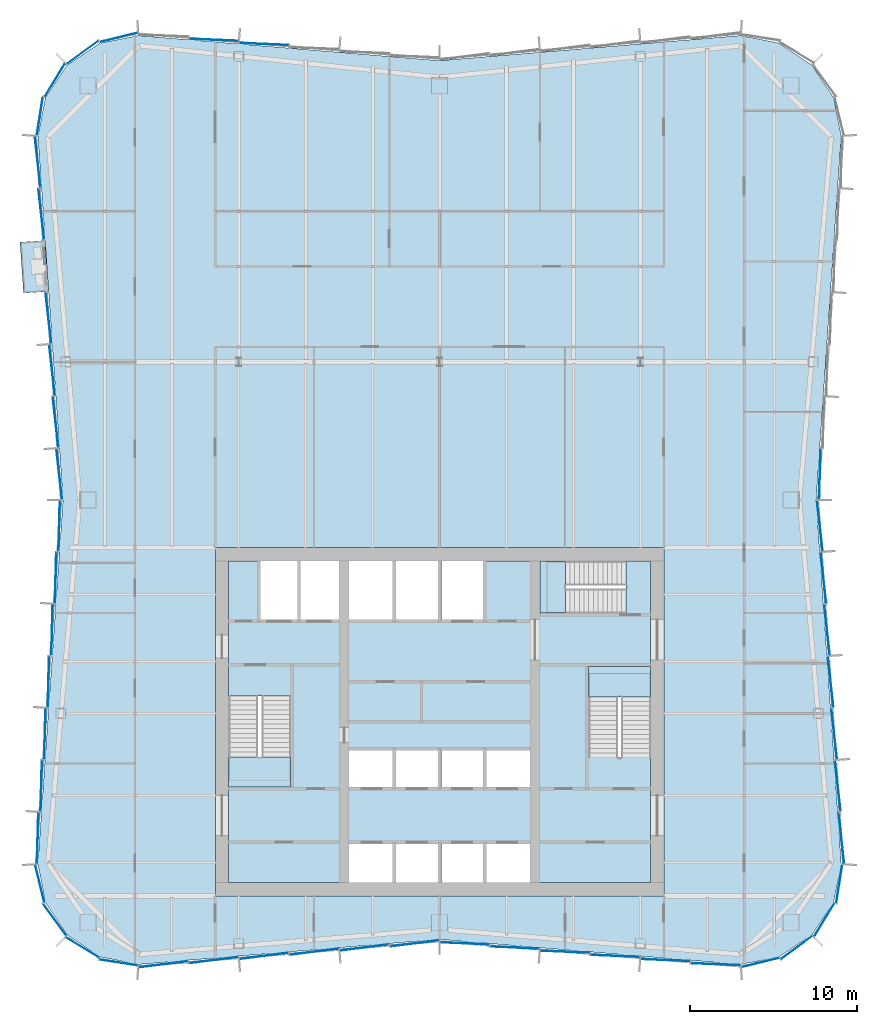
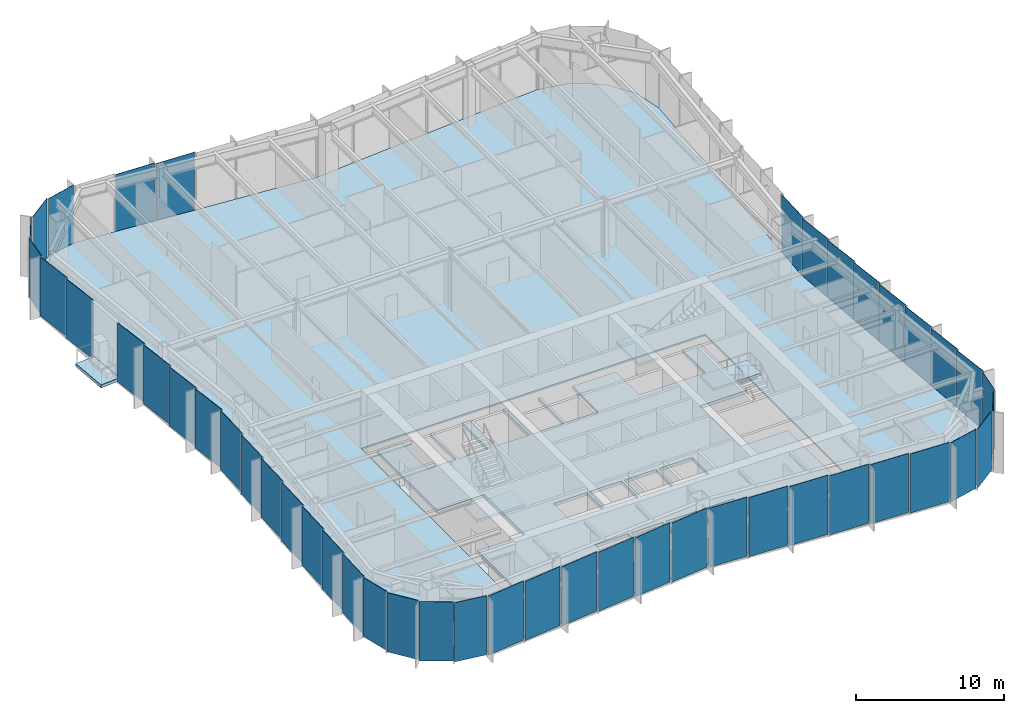
# One storey, part 9 of 15: 47 plates, 6 slabs, 10 elements without a shape of their own.
"""IFC4 building model written with IfcOpenShell, lengths in metres."""

from ifc_helpers import new_model, si_unit, direction, frame, origin, origin_2d, place, context, subcontext, project, spatial, polyline, rectangle, outline, extrude, material, layer, layer_set, type_object, element, aggregate, save


model = new_model("IFC4")

# Units and contexts
model_context = context("Model", 3, precision=1e-05, world=origin(), true_north=direction((0.0, 1.0)))
body_context = subcontext(model_context, "Body", "Model", "MODEL_VIEW")
ifc_project = project(units=[si_unit("LENGTHUNIT", "METRE"), si_unit("AREAUNIT", "SQUARE_METRE"), si_unit("VOLUMEUNIT", "CUBIC_METRE"), si_unit("PLANEANGLEUNIT", "RADIAN"), si_unit("MASSUNIT", "GRAM", prefix="KILO")], contexts=[model_context])

# Site, building, storey
site_placement = place(None, origin())
site = spatial("IfcSite", under=ifc_project, at=site_placement, CompositionType="ELEMENT")
building_placement = place(site_placement, origin())
building = spatial("IfcBuilding", under=site, at=building_placement, Name="Verdant Reach Tower", CompositionType="ELEMENT")
storey_placement = place(building_placement, frame((0.0, 0.0, 233.0)))
storey = spatial("IfcBuildingStorey", under=building, at=storey_placement, Name="L53", CompositionType="ELEMENT", Elevation=233.0)

# Stair, slab
ifc_material_1 = material(Name="Concrete C40/50", Category="concrete")
stair_type = type_object("IfcStairType", Name="CO-STAIR", PredefinedType="HALF_TURN_STAIR", material=ifc_material_1)
stair_1_placement = place(storey_placement, origin())
stair_1 = element("IfcStair", 1, at=stair_1_placement, inside=storey, type_object=stair_type, Name="L53 Exit stair 1", PredefinedType="HALF_TURN_STAIR")
ifc_layer_1 = layer(ifc_material_1, 0.199951171875)
ifc_layer_set_1 = layer_set([ifc_layer_1], Name="CO-STAIR-LANDING")
slab_type_1 = type_object("IfcSlabType", Name="CO-STAIR-LANDING", PredefinedType="LANDING", material=ifc_layer_set_1)
slab_1_placement = place(storey_placement, frame((0.0, 0.0, 2.300048828125)))
slab_1 = element("IfcSlab", 2, at=slab_1_placement, type_object=slab_type_1, Name="ST-1 landing 1", PredefinedType="LANDING", context=body_context, shape_type="SweptSolid", body=[
    extrude(outline(polyline([(-12.60009765625, 25.909912109375), (-12.60009765625, 24.10009765625), (-8.89990234375, 24.10009765625), (-8.89990234375, 25.909912109375), (-12.60009765625, 25.909912109375)])), origin(), (0.0, 0.0, 1.0), 0.199951171875),
])
aggregate(stair_1, [slab_1])

stair_2_placement = place(storey_placement, origin())
stair_2 = element("IfcStair", 3, at=stair_2_placement, inside=storey, type_object=stair_type, Name="L53 Exit stair 2", PredefinedType="HALF_TURN_STAIR")
slab_2_placement = place(storey_placement, frame((0.0, 0.0, 2.300048828125)))
slab_2 = element("IfcSlab", 4, at=slab_2_placement, type_object=slab_type_1, Name="ST-2 landing 1", PredefinedType="LANDING", context=body_context, shape_type="SweptSolid", body=[
    extrude(outline(polyline([(12.60009765625, 29.489990234375), (12.60009765625, 31.300048828125), (8.89990234375, 31.300048828125), (8.89990234375, 29.489990234375), (12.60009765625, 29.489990234375)])), origin(), (0.0, 0.0, 1.0), 0.199951171875),
])
aggregate(stair_2, [slab_2])

stair_3_placement = place(storey_placement, origin())
stair_3 = element("IfcStair", 5, at=stair_3_placement, inside=storey, type_object=stair_type, Name="L53 Exit stair 3", PredefinedType="HALF_TURN_STAIR")
slab_3_placement = place(storey_placement, frame((0.0, 0.0, 2.300048828125)))
slab_3 = element("IfcSlab", 6, at=slab_3_placement, type_object=slab_type_1, Name="ST-3 landing 1", PredefinedType="LANDING", context=body_context, shape_type="SweptSolid", body=[
    extrude(outline(polyline([(7.510009765625, 37.60009765625), (6.0, 37.60009765625), (6.0, 34.5), (7.510009765625, 34.5), (7.510009765625, 37.60009765625)])), origin(), (0.0, 0.0, 1.0), 0.199951171875),
])
aggregate(stair_3, [slab_3])

# Slab
ifc_material_2 = material(Name="Concrete C35/45", Category="concrete")
ifc_layer_2 = layer(ifc_material_2, 0.25)
ifc_layer_set_2 = layer_set([ifc_layer_2], Name="EN-BALCONY SLAB")
slab_type_2 = type_object("IfcSlabType", Name="EN-BALCONY SLAB", PredefinedType="FLOOR", material=ifc_layer_set_2)
slab_4_placement = place(storey_placement, frame((0.0, 0.0, -0.25)))
element("IfcSlab", 7, at=slab_4_placement, inside=storey, type_object=slab_type_2, Name="Balcony slab 1, L53", PredefinedType="FLOOR", context=body_context, shape_type="SweptSolid", body=[
    extrude(outline(polyline([(-23.569091796875, 56.751708984375), (-23.359375, 53.71240234375), (-24.85595703125, 53.609375), (-25.0654296875, 56.648681640625), (-23.569091796875, 56.751708984375)])), origin(), (0.0, 0.0, 1.0), 0.25),
])

# Curtain wall, plates
ifc_material_3 = material(Name="Anodised aluminium", Category="aluminium")
curtain_wall_type = type_object("IfcCurtainWallType", Name="EN-CW SYSTEM Z4", PredefinedType="NOTDEFINED", material=ifc_material_3)
curtain_wall_1_placement = place(storey_placement, origin())
curtain_wall_1 = element("IfcCurtainWall", 8, at=curtain_wall_1_placement, inside=storey, type_object=curtain_wall_type, Name="Curtain wall east, L53", PredefinedType="NOTDEFINED")
ifc_material_4 = material(Name="Tinted glass with champagne spandrel", Category="glass")
ifc_layer_3 = layer(ifc_material_4, 0.031982421875)
ifc_layer_set_3 = layer_set([ifc_layer_3], Name="EN-PANEL CHAMPAGNE")
plate_type_1 = type_object("IfcPlateType", Name="EN-PANEL CHAMPAGNE", PredefinedType="CURTAIN_PANEL", material=ifc_layer_set_3)
plate_1_placement = place(storey_placement, frame((23.36181640625, 30.3828125, -0.221923828125), z_axis=(0.0, 0.0, 1.0), x_axis=(-0.110518162674, 0.993874104562, 0.0)))
plate_1 = element("IfcPlate", 9, at=plate_1_placement, type_object=plate_type_1, Name="Glass panel east face part 1 4.1, L53", PredefinedType="CURTAIN_PANEL", context=body_context, shape_type="SweptSolid", body=[
    extrude(rectangle(XDim=3.050537109375, YDim=0.031982421875, at=origin_2d()), origin(), (0.0, 0.0, 1.0), 4.8720703125),
])
plate_2_placement = place(storey_placement, frame((23.1474609375, 33.48974609375, -0.221923828125), z_axis=(0.0, 0.0, 1.0), x_axis=(-0.110518162674, 0.993874104562, 0.0)))
plate_2 = element("IfcPlate", 10, at=plate_2_placement, type_object=plate_type_1, Name="Glass panel east face part 1 5.1, L53", PredefinedType="CURTAIN_PANEL", context=body_context, shape_type="SweptSolid", body=[
    extrude(rectangle(XDim=3.050537109375, YDim=0.031982421875, at=origin_2d()), origin(), (0.0, 0.0, 1.0), 4.8720703125),
])

curtain_wall_2_placement = place(storey_placement, origin())
curtain_wall_2 = element("IfcCurtainWall", 11, at=curtain_wall_2_placement, inside=storey, type_object=curtain_wall_type, Name="Curtain wall north, L53", PredefinedType="NOTDEFINED")
plate_3_placement = place(storey_placement, frame((-10.49072265625, 68.486572265625, -0.221923828125), z_axis=(0.0, 0.0, 1.0), x_axis=(-0.999149202059, 0.041241629766, 0.0)))
plate_3 = element("IfcPlate", 12, at=plate_3_placement, type_object=plate_type_1, Name="Glass panel north face part 2 4.1, L53", PredefinedType="CURTAIN_PANEL", context=body_context, shape_type="SweptSolid", body=[
    extrude(rectangle(XDim=2.9462890625, YDim=0.031982421875, at=origin_2d()), origin(), (0.0, 0.0, 1.0), 4.8720703125),
])
plate_4_placement = place(storey_placement, frame((-13.49072265625, 68.736572265625, -0.221923828125), z_axis=(0.0, 0.0, 1.0), x_axis=(-0.999149202059, 0.041241629766, 0.0)))
plate_4 = element("IfcPlate", 13, at=plate_4_placement, type_object=plate_type_1, Name="Glass panel north face part 2 5.1, L53", PredefinedType="CURTAIN_PANEL", context=body_context, shape_type="SweptSolid", body=[
    extrude(rectangle(XDim=2.9462890625, YDim=0.031982421875, at=origin_2d()), origin(), (0.0, 0.0, 1.0), 4.8720703125),
])
aggregate(curtain_wall_2, [plate_3, plate_4])

curtain_wall_3_placement = place(storey_placement, origin())
curtain_wall_3 = element("IfcCurtainWall", 14, at=curtain_wall_3_placement, inside=storey, type_object=curtain_wall_type, Name="Curtain wall north-west corner, L53", PredefinedType="NOTDEFINED")
plate_5_placement = place(storey_placement, frame((-21.330322265625, 67.984375, -0.221923828125), z_axis=(0.0, 0.0, 1.0), x_axis=(-0.80745677573, -0.589926737254, 0.0)))
plate_5 = element("IfcPlate", 15, at=plate_5_placement, type_object=plate_type_1, Name="Glass panel north-west corner 2.1, L53", PredefinedType="CURTAIN_PANEL", context=body_context, shape_type="SweptSolid", body=[
    extrude(rectangle(XDim=2.32080078125, YDim=0.031982421875, at=origin_2d()), origin(), (0.0, 0.0, 1.0), 4.8720703125),
])
plate_6_placement = place(storey_placement, frame((-22.984375, 66.330322265625, -0.221923828125), z_axis=(0.0, 0.0, 1.0), x_axis=(-0.520291539577, -0.853988708265, 0.0)))
plate_6 = element("IfcPlate", 16, at=plate_6_placement, type_object=plate_type_1, Name="Glass panel north-west corner 3.1, L53", PredefinedType="CURTAIN_PANEL", context=body_context, shape_type="SweptSolid", body=[
    extrude(rectangle(XDim=2.32080078125, YDim=0.031982421875, at=origin_2d()), origin(), (0.0, 0.0, 1.0), 4.8720703125),
])
plate_7_placement = place(storey_placement, frame((-23.87939453125, 64.173095703125, -0.221923828125), z_axis=(0.0, 0.0, 1.0), x_axis=(-0.154324690427, -0.988020187003, 0.0)))
plate_7 = element("IfcPlate", 17, at=plate_7_placement, type_object=plate_type_1, Name="Glass panel north-west corner 4.1, L53", PredefinedType="CURTAIN_PANEL", context=body_context, shape_type="SweptSolid", body=[
    extrude(rectangle(XDim=2.313720703125, YDim=0.031982421875, at=origin_2d()), origin(), (0.0, 0.0, 1.0), 4.8720703125),
])

curtain_wall_4_placement = place(storey_placement, origin())
curtain_wall_4 = element("IfcCurtainWall", 18, at=curtain_wall_4_placement, inside=storey, type_object=curtain_wall_type, Name="Curtain wall west, L53", PredefinedType="NOTDEFINED")
plate_8_placement = place(storey_placement, frame((-24.004638671875, 61.446044921875, -0.221923828125), z_axis=(0.0, 0.0, 1.0), x_axis=(0.110205903836, -0.993908777886, 0.0)))
plate_8 = element("IfcPlate", 19, at=plate_8_placement, type_object=plate_type_1, Name="Glass panel west face part 1 1.1, L53", PredefinedType="CURTAIN_PANEL", context=body_context, shape_type="SweptSolid", body=[
    extrude(rectangle(XDim=3.0654296875, YDim=0.031982421875, at=origin_2d()), origin(), (0.0, 0.0, 1.0), 4.8720703125),
])
plate_9_placement = place(storey_placement, frame((-23.790283203125, 58.33154296875, -0.221923828125), z_axis=(0.0, 0.0, 1.0), x_axis=(0.110518162674, -0.993874104562, 0.0)))
plate_9 = element("IfcPlate", 20, at=plate_9_placement, type_object=plate_type_1, Name="Glass panel west face part 1 2.1, L53", PredefinedType="CURTAIN_PANEL", context=body_context, shape_type="SweptSolid", body=[
    extrude(rectangle(XDim=3.050537109375, YDim=0.031982421875, at=origin_2d()), origin(), (0.0, 0.0, 1.0), 4.8720703125),
])
plate_10_placement = place(storey_placement, frame((-22.93310546875, 36.596923828125, -0.221923828125), z_axis=(0.0, 0.0, 1.0), x_axis=(-0.026965318308, -0.999636369691, 0.0)))
plate_10 = element("IfcPlate", 21, at=plate_10_placement, type_object=plate_type_1, Name="Glass panel west face part 2 2.1, L53", PredefinedType="CURTAIN_PANEL", context=body_context, shape_type="SweptSolid", body=[
    extrude(rectangle(XDim=3.050537109375, YDim=0.031982421875, at=origin_2d()), origin(), (0.0, 0.0, 1.0), 4.8720703125),
])
plate_11_placement = place(storey_placement, frame((-23.1474609375, 33.48974609375, -0.221923828125), z_axis=(0.0, 0.0, 1.0), x_axis=(-0.026965318308, -0.999636369691, 0.0)))
plate_11 = element("IfcPlate", 22, at=plate_11_placement, type_object=plate_type_1, Name="Glass panel west face part 2 3.1, L53", PredefinedType="CURTAIN_PANEL", context=body_context, shape_type="SweptSolid", body=[
    extrude(rectangle(XDim=3.050537109375, YDim=0.031982421875, at=origin_2d()), origin(), (0.0, 0.0, 1.0), 4.8720703125),
])

curtain_wall_5_placement = place(storey_placement, origin())
curtain_wall_5 = element("IfcCurtainWall", 23, at=curtain_wall_5_placement, inside=storey, type_object=curtain_wall_type, Name="Curtain wall south-west corner, L53", PredefinedType="NOTDEFINED")
plate_12_placement = place(storey_placement, frame((-23.87939453125, 18.326904296875, -0.221923828125), z_axis=(0.0, 0.0, 1.0), x_axis=(0.236458850433, -0.971641503875, 0.0)))
plate_12 = element("IfcPlate", 24, at=plate_12_placement, type_object=plate_type_1, Name="Glass panel south-west corner 1.1, L53", PredefinedType="CURTAIN_PANEL", context=body_context, shape_type="SweptSolid", body=[
    extrude(rectangle(XDim=2.313720703125, YDim=0.031982421875, at=origin_2d()), origin(), (0.0, 0.0, 1.0), 4.8720703125),
])
plate_13_placement = place(storey_placement, frame((-22.984375, 16.169677734375, -0.221923828125), z_axis=(0.0, 0.0, 1.0), x_axis=(0.589926737254, -0.80745677573, 0.0)))
plate_13 = element("IfcPlate", 25, at=plate_13_placement, type_object=plate_type_1, Name="Glass panel south-west corner 2.1, L53", PredefinedType="CURTAIN_PANEL", context=body_context, shape_type="SweptSolid", body=[
    extrude(rectangle(XDim=2.32080078125, YDim=0.031982421875, at=origin_2d()), origin(), (0.0, 0.0, 1.0), 4.8720703125),
])

curtain_wall_6_placement = place(storey_placement, origin())
curtain_wall_6 = element("IfcCurtainWall", 26, at=curtain_wall_6_placement, inside=storey, type_object=curtain_wall_type, Name="Curtain wall south, L53", PredefinedType="NOTDEFINED")
plate_14_placement = place(storey_placement, frame((-1.495361328125, 14.76318359375, -0.221923828125), z_axis=(0.0, 0.0, 1.0), x_axis=(0.992177950603, 0.124831543836, 0.0)))
plate_14 = element("IfcPlate", 27, at=plate_14_placement, type_object=plate_type_1, Name="Glass panel south face part 1 6.1, L53", PredefinedType="CURTAIN_PANEL", context=body_context, shape_type="SweptSolid", body=[
    extrude(rectangle(XDim=2.93701171875, YDim=0.031982421875, at=origin_2d()), origin(), (0.0, 0.0, 1.0), 4.8720703125),
])
plate_15_placement = place(storey_placement, frame((1.495361328125, 14.76318359375, -0.221923828125), z_axis=(0.0, 0.0, 1.0), x_axis=(0.999143877249, -0.041370430933, 0.0)))
plate_15 = element("IfcPlate", 28, at=plate_15_placement, type_object=plate_type_1, Name="Glass panel south face part 2 1.1, L53", PredefinedType="CURTAIN_PANEL", context=body_context, shape_type="SweptSolid", body=[
    extrude(rectangle(XDim=2.93701171875, YDim=0.031982421875, at=origin_2d()), origin(), (0.0, 0.0, 1.0), 4.8720703125),
])

curtain_wall_7_placement = place(storey_placement, origin())
curtain_wall_7 = element("IfcCurtainWall", 29, at=curtain_wall_7_placement, inside=storey, type_object=curtain_wall_type, Name="Curtain wall south-east corner, L53", PredefinedType="NOTDEFINED")
ifc_material_5 = material(Name="Tinted glass with copper spandrel", Category="glass")
ifc_layer_4 = layer(ifc_material_5, 0.031982421875)
ifc_layer_set_4 = layer_set([ifc_layer_4], Name="EN-PANEL COPPER")
plate_type_2 = type_object("IfcPlateType", Name="EN-PANEL COPPER", PredefinedType="CURTAIN_PANEL", material=ifc_layer_set_4)
plate_16_placement = place(storey_placement, frame((19.172607421875, 13.62060546875, -0.221923828125), z_axis=(0.0, 0.0, 1.0), x_axis=(0.971652337104, 0.236414330786, 0.0)))
plate_16 = element("IfcPlate", 30, at=plate_16_placement, type_object=plate_type_2, Name="Glass panel south-east corner 1.1, L53", PredefinedType="CURTAIN_PANEL", context=body_context, shape_type="SweptSolid", body=[
    extrude(rectangle(XDim=2.314453125, YDim=0.031982421875, at=origin_2d()), origin(), (0.0, 0.0, 1.0), 4.8720703125),
])
plate_17_placement = place(storey_placement, frame((21.330322265625, 14.515625, -0.221923828125), z_axis=(0.0, 0.0, 1.0), x_axis=(0.80745677573, 0.589926737254, 0.0)))
plate_17 = element("IfcPlate", 31, at=plate_17_placement, type_object=plate_type_2, Name="Glass panel south-east corner 2.1, L53", PredefinedType="CURTAIN_PANEL", context=body_context, shape_type="SweptSolid", body=[
    extrude(rectangle(XDim=2.32080078125, YDim=0.031982421875, at=origin_2d()), origin(), (0.0, 0.0, 1.0), 4.8720703125),
])

# Plate
plate_18_placement = place(storey_placement, frame((22.93310546875, 36.596923828125, -0.221923828125), z_axis=(0.0, 0.0, 1.0), x_axis=(-0.110518162674, 0.993874104562, 0.0)))
plate_18 = element("IfcPlate", 32, at=plate_18_placement, type_object=plate_type_2, Name="Glass panel east face part 1 6.1, L53", PredefinedType="CURTAIN_PANEL", context=body_context, shape_type="SweptSolid", body=[
    extrude(rectangle(XDim=3.050537109375, YDim=0.031982421875, at=origin_2d()), origin(), (0.0, 0.0, 1.0), 4.8720703125),
])

plate_19_placement = place(storey_placement, frame((22.718994140625, 39.7001953125, -0.221923828125), z_axis=(0.0, 0.0, 1.0), x_axis=(-0.110603065042, 0.993864659802, 0.0)))
plate_19 = element("IfcPlate", 33, at=plate_19_placement, type_object=plate_type_2, Name="Glass panel east face part 1 7.1, L53", PredefinedType="CURTAIN_PANEL", context=body_context, shape_type="SweptSolid", body=[
    extrude(rectangle(XDim=3.042724609375, YDim=0.031982421875, at=origin_2d()), origin(), (0.0, 0.0, 1.0), 4.8720703125),
])

plate_20_placement = place(storey_placement, frame((22.718994140625, 42.7998046875, -0.221923828125), z_axis=(0.0, 0.0, 1.0), x_axis=(0.027050713229, 0.999634062502, 0.0)))
plate_20 = element("IfcPlate", 34, at=plate_20_placement, type_object=plate_type_2, Name="Glass panel east face part 2 1.1, L53", PredefinedType="CURTAIN_PANEL", context=body_context, shape_type="SweptSolid", body=[
    extrude(rectangle(XDim=3.042724609375, YDim=0.031982421875, at=origin_2d()), origin(), (0.0, 0.0, 1.0), 4.8720703125),
])

plate_21_placement = place(storey_placement, frame((-23.36181640625, 52.1171875, -0.221923828125), z_axis=(0.0, 0.0, 1.0), x_axis=(0.110518162674, -0.993874104562, 0.0)))
plate_21 = element("IfcPlate", 35, at=plate_21_placement, type_object=plate_type_2, Name="Glass panel west face part 1 4.1, L53", PredefinedType="CURTAIN_PANEL", context=body_context, shape_type="SweptSolid", body=[
    extrude(rectangle(XDim=3.050537109375, YDim=0.031982421875, at=origin_2d()), origin(), (0.0, 0.0, 1.0), 4.8720703125),
])

plate_22_placement = place(storey_placement, frame((-23.36181640625, 30.3828125, -0.221923828125), z_axis=(0.0, 0.0, 1.0), x_axis=(-0.026965318308, -0.999636369691, 0.0)))
plate_22 = element("IfcPlate", 36, at=plate_22_placement, type_object=plate_type_2, Name="Glass panel west face part 2 4.1, L53", PredefinedType="CURTAIN_PANEL", context=body_context, shape_type="SweptSolid", body=[
    extrude(rectangle(XDim=3.050537109375, YDim=0.031982421875, at=origin_2d()), origin(), (0.0, 0.0, 1.0), 4.8720703125),
])

plate_23_placement = place(storey_placement, frame((-23.575927734375, 27.275634765625, -0.221923828125), z_axis=(0.0, 0.0, 1.0), x_axis=(-0.026965318308, -0.999636369691, 0.0)))
plate_23 = element("IfcPlate", 37, at=plate_23_placement, type_object=plate_type_2, Name="Glass panel west face part 2 5.1, L53", PredefinedType="CURTAIN_PANEL", context=body_context, shape_type="SweptSolid", body=[
    extrude(rectangle(XDim=3.050537109375, YDim=0.031982421875, at=origin_2d()), origin(), (0.0, 0.0, 1.0), 4.8720703125),
])

plate_24_placement = place(storey_placement, frame((-23.790283203125, 24.16845703125, -0.221923828125), z_axis=(0.0, 0.0, 1.0), x_axis=(-0.026965318308, -0.999636369691, 0.0)))
plate_24 = element("IfcPlate", 38, at=plate_24_placement, type_object=plate_type_2, Name="Glass panel west face part 2 6.1, L53", PredefinedType="CURTAIN_PANEL", context=body_context, shape_type="SweptSolid", body=[
    extrude(rectangle(XDim=3.050537109375, YDim=0.031982421875, at=origin_2d()), origin(), (0.0, 0.0, 1.0), 4.8720703125),
])

plate_25_placement = place(storey_placement, frame((-21.330322265625, 14.515625, -0.221923828125), z_axis=(0.0, 0.0, 1.0), x_axis=(0.853988708265, -0.520291539577, 0.0)))
plate_25 = element("IfcPlate", 39, at=plate_25_placement, type_object=plate_type_2, Name="Glass panel south-west corner 3.1, L53", PredefinedType="CURTAIN_PANEL", context=body_context, shape_type="SweptSolid", body=[
    extrude(rectangle(XDim=2.32080078125, YDim=0.031982421875, at=origin_2d()), origin(), (0.0, 0.0, 1.0), 4.8720703125),
])

plate_26_placement = place(storey_placement, frame((-19.172607421875, 13.62060546875, -0.221923828125), z_axis=(0.0, 0.0, 1.0), x_axis=(0.98802725693, -0.154279420415, 0.0)))
plate_26 = element("IfcPlate", 40, at=plate_26_placement, type_object=plate_type_2, Name="Glass panel south-west corner 4.1, L53", PredefinedType="CURTAIN_PANEL", context=body_context, shape_type="SweptSolid", body=[
    extrude(rectangle(XDim=2.314453125, YDim=0.031982421875, at=origin_2d()), origin(), (0.0, 0.0, 1.0), 4.8720703125),
])

aggregate(curtain_wall_5, [plate_12, plate_13, plate_25, plate_26])

plate_27_placement = place(storey_placement, frame((-16.49853515625, 13.51318359375, -0.221923828125), z_axis=(0.0, 0.0, 1.0), x_axis=(0.992238962139, 0.124345655383, 0.0)))
plate_27 = element("IfcPlate", 41, at=plate_27_placement, type_object=plate_type_2, Name="Glass panel south face part 1 1.1, L53", PredefinedType="CURTAIN_PANEL", context=body_context, shape_type="SweptSolid", body=[
    extrude(rectangle(XDim=2.9619140625, YDim=0.031982421875, at=origin_2d()), origin(), (0.0, 0.0, 1.0), 4.8720703125),
])

plate_28_placement = place(storey_placement, frame((-13.49072265625, 13.763427734375, -0.221923828125), z_axis=(0.0, 0.0, 1.0), x_axis=(0.992194034542, 0.124703639961, 0.0)))
plate_28 = element("IfcPlate", 42, at=plate_28_placement, type_object=plate_type_2, Name="Glass panel south face part 1 2.1, L53", PredefinedType="CURTAIN_PANEL", context=body_context, shape_type="SweptSolid", body=[
    extrude(rectangle(XDim=2.9462890625, YDim=0.031982421875, at=origin_2d()), origin(), (0.0, 0.0, 1.0), 4.8720703125),
])

plate_29_placement = place(storey_placement, frame((4.49072265625, 14.513427734375, -0.221923828125), z_axis=(0.0, 0.0, 1.0), x_axis=(0.999149202059, -0.041241629766, 0.0)))
plate_29 = element("IfcPlate", 43, at=plate_29_placement, type_object=plate_type_2, Name="Glass panel south face part 2 2.1, L53", PredefinedType="CURTAIN_PANEL", context=body_context, shape_type="SweptSolid", body=[
    extrude(rectangle(XDim=2.9462890625, YDim=0.031982421875, at=origin_2d()), origin(), (0.0, 0.0, 1.0), 4.8720703125),
])

plate_30_placement = place(storey_placement, frame((7.49072265625, 14.263427734375, -0.221923828125), z_axis=(0.0, 0.0, 1.0), x_axis=(0.999149202059, -0.041241629766, 0.0)))
plate_30 = element("IfcPlate", 44, at=plate_30_placement, type_object=plate_type_2, Name="Glass panel south face part 2 3.1, L53", PredefinedType="CURTAIN_PANEL", context=body_context, shape_type="SweptSolid", body=[
    extrude(rectangle(XDim=2.9462890625, YDim=0.031982421875, at=origin_2d()), origin(), (0.0, 0.0, 1.0), 4.8720703125),
])

plate_31_placement = place(storey_placement, frame((10.49072265625, 14.013427734375, -0.221923828125), z_axis=(0.0, 0.0, 1.0), x_axis=(0.999149202059, -0.041241629766, 0.0)))
plate_31 = element("IfcPlate", 45, at=plate_31_placement, type_object=plate_type_2, Name="Glass panel south face part 2 4.1, L53", PredefinedType="CURTAIN_PANEL", context=body_context, shape_type="SweptSolid", body=[
    extrude(rectangle(XDim=2.9462890625, YDim=0.031982421875, at=origin_2d()), origin(), (0.0, 0.0, 1.0), 4.8720703125),
])

ifc_material_6 = material(Name="Tinted glass with dark bronze spandrel", Category="glass")
ifc_layer_5 = layer(ifc_material_6, 0.031982421875)
ifc_layer_set_5 = layer_set([ifc_layer_5], Name="EN-PANEL DARK")
plate_type_3 = type_object("IfcPlateType", Name="EN-PANEL DARK", PredefinedType="CURTAIN_PANEL", material=ifc_layer_set_5)
plate_32_placement = place(storey_placement, frame((22.984375, 16.169677734375, -0.221923828125), z_axis=(0.0, 0.0, 1.0), x_axis=(0.520291539577, 0.853988708265, 0.0)))
plate_32 = element("IfcPlate", 46, at=plate_32_placement, type_object=plate_type_3, Name="Glass panel south-east corner 3.1, L53", PredefinedType="CURTAIN_PANEL", context=body_context, shape_type="SweptSolid", body=[
    extrude(rectangle(XDim=2.32080078125, YDim=0.031982421875, at=origin_2d()), origin(), (0.0, 0.0, 1.0), 4.8720703125),
])

plate_33_placement = place(storey_placement, frame((23.87939453125, 18.326904296875, -0.221923828125), z_axis=(0.0, 0.0, 1.0), x_axis=(0.154324690427, 0.988020187003, 0.0)))
plate_33 = element("IfcPlate", 47, at=plate_33_placement, type_object=plate_type_3, Name="Glass panel south-east corner 4.1, L53", PredefinedType="CURTAIN_PANEL", context=body_context, shape_type="SweptSolid", body=[
    extrude(rectangle(XDim=2.313720703125, YDim=0.031982421875, at=origin_2d()), origin(), (0.0, 0.0, 1.0), 4.8720703125),
])

aggregate(curtain_wall_7, [plate_16, plate_17, plate_32, plate_33])

plate_34_placement = place(storey_placement, frame((24.004638671875, 21.053955078125, -0.221923828125), z_axis=(0.0, 0.0, 1.0), x_axis=(-0.110205903836, 0.993908777886, 0.0)))
plate_34 = element("IfcPlate", 48, at=plate_34_placement, type_object=plate_type_3, Name="Glass panel east face part 1 1.1, L53", PredefinedType="CURTAIN_PANEL", context=body_context, shape_type="SweptSolid", body=[
    extrude(rectangle(XDim=3.0654296875, YDim=0.031982421875, at=origin_2d()), origin(), (0.0, 0.0, 1.0), 4.8720703125),
])

plate_35_placement = place(storey_placement, frame((23.790283203125, 24.16845703125, -0.221923828125), z_axis=(0.0, 0.0, 1.0), x_axis=(-0.110518162674, 0.993874104562, 0.0)))
plate_35 = element("IfcPlate", 49, at=plate_35_placement, type_object=plate_type_3, Name="Glass panel east face part 1 2.1, L53", PredefinedType="CURTAIN_PANEL", context=body_context, shape_type="SweptSolid", body=[
    extrude(rectangle(XDim=3.050537109375, YDim=0.031982421875, at=origin_2d()), origin(), (0.0, 0.0, 1.0), 4.8720703125),
])

plate_36_placement = place(storey_placement, frame((23.575927734375, 27.275634765625, -0.221923828125), z_axis=(0.0, 0.0, 1.0), x_axis=(-0.110518162674, 0.993874104562, 0.0)))
plate_36 = element("IfcPlate", 50, at=plate_36_placement, type_object=plate_type_3, Name="Glass panel east face part 1 3.1, L53", PredefinedType="CURTAIN_PANEL", context=body_context, shape_type="SweptSolid", body=[
    extrude(rectangle(XDim=3.050537109375, YDim=0.031982421875, at=origin_2d()), origin(), (0.0, 0.0, 1.0), 4.8720703125),
])

aggregate(curtain_wall_1, [plate_34, plate_35, plate_36, plate_1, plate_2, plate_18, plate_19, plate_20])

plate_37_placement = place(storey_placement, frame((-19.172607421875, 68.87939453125, -0.221923828125), z_axis=(0.0, 0.0, 1.0), x_axis=(-0.971652337104, -0.236414330786, 0.0)))
plate_37 = element("IfcPlate", 51, at=plate_37_placement, type_object=plate_type_3, Name="Glass panel north-west corner 1.1, L53", PredefinedType="CURTAIN_PANEL", context=body_context, shape_type="SweptSolid", body=[
    extrude(rectangle(XDim=2.314453125, YDim=0.031982421875, at=origin_2d()), origin(), (0.0, 0.0, 1.0), 4.8720703125),
])

aggregate(curtain_wall_3, [plate_37, plate_5, plate_6, plate_7])

plate_38_placement = place(storey_placement, frame((-23.1474609375, 49.01025390625, -0.221923828125), z_axis=(0.0, 0.0, 1.0), x_axis=(0.110518162674, -0.993874104562, 0.0)))
plate_38 = element("IfcPlate", 52, at=plate_38_placement, type_object=plate_type_3, Name="Glass panel west face part 1 5.1, L53", PredefinedType="CURTAIN_PANEL", context=body_context, shape_type="SweptSolid", body=[
    extrude(rectangle(XDim=3.050537109375, YDim=0.031982421875, at=origin_2d()), origin(), (0.0, 0.0, 1.0), 4.8720703125),
])

plate_39_placement = place(storey_placement, frame((-22.93310546875, 45.903076171875, -0.221923828125), z_axis=(0.0, 0.0, 1.0), x_axis=(0.110518162674, -0.993874104562, 0.0)))
plate_39 = element("IfcPlate", 53, at=plate_39_placement, type_object=plate_type_3, Name="Glass panel west face part 1 6.1, L53", PredefinedType="CURTAIN_PANEL", context=body_context, shape_type="SweptSolid", body=[
    extrude(rectangle(XDim=3.050537109375, YDim=0.031982421875, at=origin_2d()), origin(), (0.0, 0.0, 1.0), 4.8720703125),
])

plate_40_placement = place(storey_placement, frame((-22.718994140625, 42.7998046875, -0.221923828125), z_axis=(0.0, 0.0, 1.0), x_axis=(0.110603065042, -0.993864659802, 0.0)))
plate_40 = element("IfcPlate", 54, at=plate_40_placement, type_object=plate_type_3, Name="Glass panel west face part 1 7.1, L53", PredefinedType="CURTAIN_PANEL", context=body_context, shape_type="SweptSolid", body=[
    extrude(rectangle(XDim=3.042724609375, YDim=0.031982421875, at=origin_2d()), origin(), (0.0, 0.0, 1.0), 4.8720703125),
])

plate_41_placement = place(storey_placement, frame((-22.718994140625, 39.7001953125, -0.221923828125), z_axis=(0.0, 0.0, 1.0), x_axis=(-0.027050713229, -0.999634062502, 0.0)))
plate_41 = element("IfcPlate", 55, at=plate_41_placement, type_object=plate_type_3, Name="Glass panel west face part 2 1.1, L53", PredefinedType="CURTAIN_PANEL", context=body_context, shape_type="SweptSolid", body=[
    extrude(rectangle(XDim=3.042724609375, YDim=0.031982421875, at=origin_2d()), origin(), (0.0, 0.0, 1.0), 4.8720703125),
])

plate_42_placement = place(storey_placement, frame((-24.004638671875, 21.053955078125, -0.221923828125), z_axis=(0.0, 0.0, 1.0), x_axis=(-0.026651253217, -0.999644792265, 0.0)))
plate_42 = element("IfcPlate", 56, at=plate_42_placement, type_object=plate_type_3, Name="Glass panel west face part 2 7.1, L53", PredefinedType="CURTAIN_PANEL", context=body_context, shape_type="SweptSolid", body=[
    extrude(rectangle(XDim=3.0654296875, YDim=0.031982421875, at=origin_2d()), origin(), (0.0, 0.0, 1.0), 4.8720703125),
])

aggregate(curtain_wall_4, [plate_8, plate_9, plate_21, plate_38, plate_39, plate_40, plate_41, plate_10, plate_11, plate_22, plate_23, plate_24, plate_42])

plate_43_placement = place(storey_placement, frame((-10.49072265625, 14.013427734375, -0.221923828125), z_axis=(0.0, 0.0, 1.0), x_axis=(0.992194034542, 0.124703639961, 0.0)))
plate_43 = element("IfcPlate", 57, at=plate_43_placement, type_object=plate_type_3, Name="Glass panel south face part 1 3.1, L53", PredefinedType="CURTAIN_PANEL", context=body_context, shape_type="SweptSolid", body=[
    extrude(rectangle(XDim=2.9462890625, YDim=0.031982421875, at=origin_2d()), origin(), (0.0, 0.0, 1.0), 4.8720703125),
])

plate_44_placement = place(storey_placement, frame((-7.49072265625, 14.263427734375, -0.221923828125), z_axis=(0.0, 0.0, 1.0), x_axis=(0.992194034542, 0.124703639961, 0.0)))
plate_44 = element("IfcPlate", 58, at=plate_44_placement, type_object=plate_type_3, Name="Glass panel south face part 1 4.1, L53", PredefinedType="CURTAIN_PANEL", context=body_context, shape_type="SweptSolid", body=[
    extrude(rectangle(XDim=2.9462890625, YDim=0.031982421875, at=origin_2d()), origin(), (0.0, 0.0, 1.0), 4.8720703125),
])

plate_45_placement = place(storey_placement, frame((-4.49072265625, 14.513427734375, -0.221923828125), z_axis=(0.0, 0.0, 1.0), x_axis=(0.992194034542, 0.124703639961, 0.0)))
plate_45 = element("IfcPlate", 59, at=plate_45_placement, type_object=plate_type_3, Name="Glass panel south face part 1 5.1, L53", PredefinedType="CURTAIN_PANEL", context=body_context, shape_type="SweptSolid", body=[
    extrude(rectangle(XDim=2.9462890625, YDim=0.031982421875, at=origin_2d()), origin(), (0.0, 0.0, 1.0), 4.8720703125),
])

plate_46_placement = place(storey_placement, frame((13.49072265625, 13.763427734375, -0.221923828125), z_axis=(0.0, 0.0, 1.0), x_axis=(0.999149202059, -0.041241629766, 0.0)))
plate_46 = element("IfcPlate", 60, at=plate_46_placement, type_object=plate_type_3, Name="Glass panel south face part 2 5.1, L53", PredefinedType="CURTAIN_PANEL", context=body_context, shape_type="SweptSolid", body=[
    extrude(rectangle(XDim=2.9462890625, YDim=0.031982421875, at=origin_2d()), origin(), (0.0, 0.0, 1.0), 4.8720703125),
])

plate_47_placement = place(storey_placement, frame((16.49853515625, 13.51318359375, -0.221923828125), z_axis=(0.0, 0.0, 1.0), x_axis=(0.999164016711, -0.040881141246, 0.0)))
plate_47 = element("IfcPlate", 61, at=plate_47_placement, type_object=plate_type_3, Name="Glass panel south face part 2 6.1, L53", PredefinedType="CURTAIN_PANEL", context=body_context, shape_type="SweptSolid", body=[
    extrude(rectangle(XDim=2.9619140625, YDim=0.031982421875, at=origin_2d()), origin(), (0.0, 0.0, 1.0), 4.8720703125),
])

aggregate(curtain_wall_6, [plate_27, plate_28, plate_43, plate_44, plate_45, plate_14, plate_15, plate_29, plate_30, plate_31, plate_46, plate_47])

# Slabs
ifc_material_7 = material(Name="Concrete C35/45", Category="concrete")
ifc_layer_6 = layer(ifc_material_7, 0.1298828125)
ifc_layer_set_6 = layer_set([ifc_layer_6], Name="ST-SLAB-130")
slab_type_3 = type_object("IfcSlabType", Name="ST-SLAB-130", PredefinedType="FLOOR", material=ifc_layer_set_6)
slab_5_placement = place(storey_placement, frame((0.0, 0.0, -0.1298828125)))
element("IfcSlab", 62, at=slab_5_placement, inside=storey, type_object=slab_type_3, Name="Floor slab L53", PredefinedType="FLOOR", context=body_context, shape_type="SweptSolid", body=[
    extrude(outline(polyline([(0.0, 15.0), (-18.0, 13.5), (-20.296142578125, 13.956787109375), (-22.24267578125, 15.25732421875), (-23.543212890625, 17.203857421875), (-24.0, 19.5), (-22.5, 41.25), (-24.0, 63.0), (-23.543212890625, 65.296142578125), (-22.24267578125, 67.24267578125), (-20.296142578125, 68.543212890625), (-18.0, 69.0), (0.0, 67.5), (18.0, 69.0), (20.296142578125, 68.543212890625), (22.24267578125, 67.24267578125), (23.543212890625, 65.296142578125), (24.0, 63.0), (22.5, 41.25), (24.0, 19.5), (23.543212890625, 17.203857421875), (22.24267578125, 15.25732421875), (20.296142578125, 13.956787109375), (18.0, 13.5), (0.0, 15.0)]), holes=[polyline([(13.39990234375, 38.39990234375), (-13.39990234375, 38.39990234375), (-13.39990234375, 17.60009765625), (13.39990234375, 17.60009765625), (13.39990234375, 38.39990234375)])]), origin(), (0.0, 0.0, 1.0), 0.1298828125),
])
ifc_layer_7 = layer(ifc_material_7, 0.25)
ifc_layer_set_7 = layer_set([ifc_layer_7], Name="ST-SLAB-250")
slab_type_4 = type_object("IfcSlabType", Name="ST-SLAB-250", PredefinedType="FLOOR", material=ifc_layer_set_7)
slab_6_placement = place(storey_placement, frame((0.0, 0.0, -0.25)))
element("IfcSlab", 63, at=slab_6_placement, inside=storey, type_object=slab_type_4, Name="Core floor slab L53", PredefinedType="FLOOR", context=body_context, shape_type="SweptSolid", body=[
    extrude(outline(polyline([(12.60009765625, 18.39990234375), (5.39990234375, 18.39990234375), (5.39990234375, 20.699951171875), (2.800048828125, 20.699951171875), (2.800048828125, 18.39990234375), (2.60009765625, 18.39990234375), (2.60009765625, 20.699951171875), (0.10009765625, 20.699951171875), (0.10009765625, 18.39990234375), (-0.10009765625, 18.39990234375), (-0.10009765625, 20.699951171875), (-2.60009765625, 20.699951171875), (-2.60009765625, 18.39990234375), (-2.800048828125, 18.39990234375), (-2.800048828125, 20.699951171875), (-5.39990234375, 20.699951171875), (-5.39990234375, 18.39990234375), (-12.60009765625, 18.39990234375), (-12.60009765625, 24.10009765625), (-8.89990234375, 24.10009765625), (-8.89990234375, 29.548095703125), (-12.60009765625, 29.548095703125), (-12.60009765625, 37.60009765625), (-10.699951171875, 37.60009765625), (-10.699951171875, 34.10009765625), (-8.5, 34.10009765625), (-8.5, 37.60009765625), (-8.300048828125, 37.60009765625), (-8.300048828125, 34.10009765625), (-6.0, 34.10009765625), (-6.0, 37.60009765625), (-5.39990234375, 37.60009765625), (-5.39990234375, 34.10009765625), (-2.800048828125, 34.10009765625), (-2.800048828125, 37.60009765625), (-2.60009765625, 37.60009765625), (-2.60009765625, 34.10009765625), (-0.10009765625, 34.10009765625), (-0.10009765625, 37.60009765625), (0.10009765625, 37.60009765625), (0.10009765625, 34.10009765625), (2.60009765625, 34.10009765625), (2.60009765625, 37.60009765625), (6.0, 37.60009765625), (6.0, 34.5), (11.14794921875, 34.5), (11.14794921875, 37.60009765625), (12.60009765625, 37.60009765625), (12.60009765625, 31.300048828125), (8.89990234375, 31.300048828125), (8.89990234375, 25.85205078125), (12.60009765625, 25.85205078125), (12.60009765625, 18.39990234375)]), holes=[polyline([(-2.800048828125, 24.10009765625), (-2.800048828125, 26.300048828125), (-5.39990234375, 26.300048828125), (-5.39990234375, 24.10009765625), (-2.800048828125, 24.10009765625)]), polyline([(-0.10009765625, 24.10009765625), (-0.10009765625, 26.300048828125), (-2.60009765625, 26.300048828125), (-2.60009765625, 24.10009765625), (-0.10009765625, 24.10009765625)]), polyline([(2.60009765625, 24.10009765625), (2.60009765625, 26.300048828125), (0.10009765625, 26.300048828125), (0.10009765625, 24.10009765625), (2.60009765625, 24.10009765625)]), polyline([(5.39990234375, 24.10009765625), (5.39990234375, 26.300048828125), (2.800048828125, 26.300048828125), (2.800048828125, 24.10009765625), (5.39990234375, 24.10009765625)])]), origin(), (0.0, 0.0, 1.0), 0.25),
])

save(model, "model.ifc")
